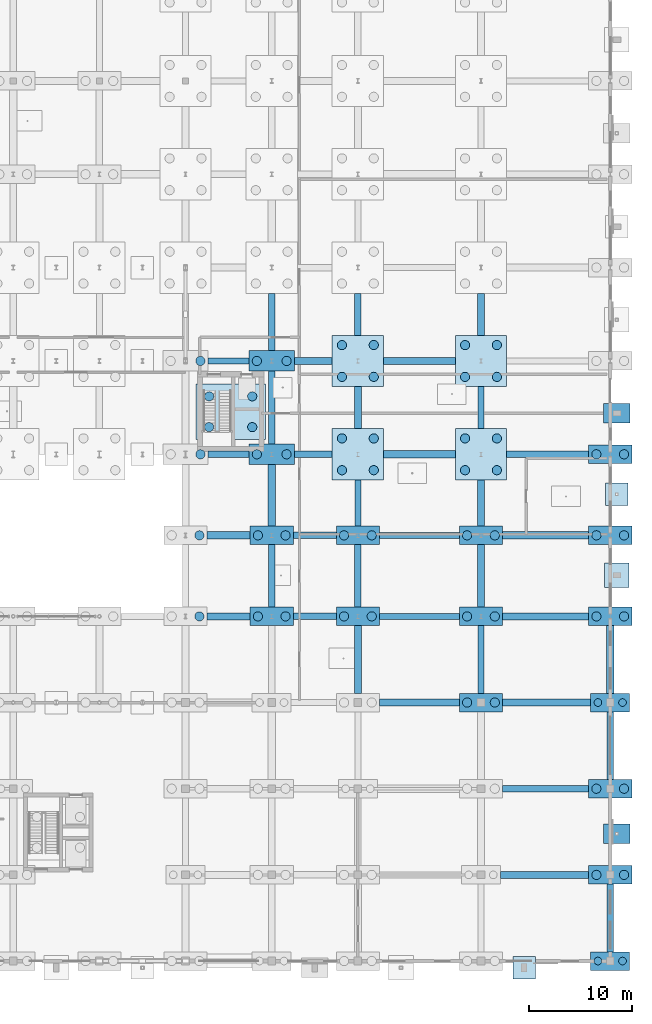
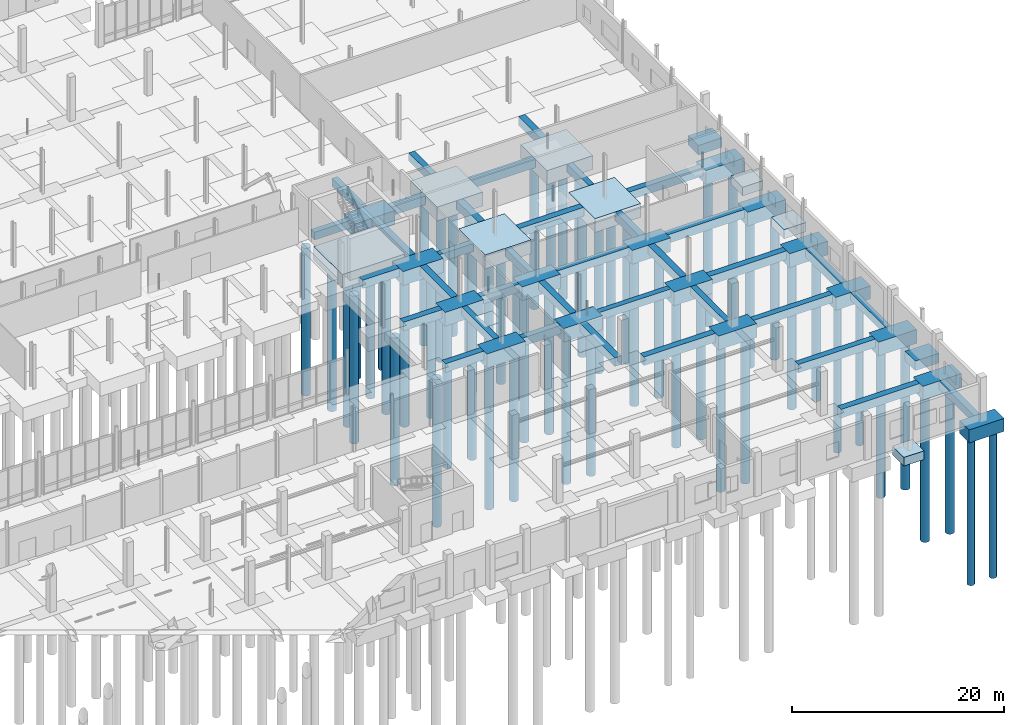
# One storey, part 7 of 119: 62 footings, 56 piles.
"""IFC4 building model written with IfcOpenShell, lengths in metres."""

from ifc_helpers import new_model, si_unit, derived_unit, direction, frame, origin, origin_2d, place, context, subcontext, project, spatial, rectangle, circle, extrude, material, layer, layer_set, material_profile, profile_set, type_object, element, save


model = new_model("IFC4")

# Units and contexts
model_context = context("Model", 3, precision=1e-05, world=origin(), true_north=direction((0.0, 1.0)))
body_context = subcontext(model_context, "Body", "Model", "MODEL_VIEW")
ifc_project = project(units=[si_unit("LENGTHUNIT", "METRE"), si_unit("AREAUNIT", "SQUARE_METRE"), si_unit("VOLUMEUNIT", "CUBIC_METRE"), si_unit("PLANEANGLEUNIT", "RADIAN"), si_unit("MASSUNIT", "GRAM", prefix="KILO"), derived_unit("THERMALTRANSMITTANCEUNIT", [(si_unit("MASSUNIT", "GRAM", prefix="KILO"), 1), (si_unit("TIMEUNIT", "SECOND"), -3), (si_unit("THERMODYNAMICTEMPERATUREUNIT", "KELVIN"), -1)])], contexts=[model_context])

# Site, building, storey
site_placement = place(None, origin())
site = spatial("IfcSite", under=ifc_project, at=site_placement, CompositionType="ELEMENT")
building_placement = place(site_placement, origin())
building = spatial("IfcBuilding", under=site, at=building_placement, Name="Makaiwela Harbour Ferry Terminal", CompositionType="ELEMENT")
storey_placement = place(building_placement, origin())
storey = spatial("IfcBuildingStorey", under=building, at=storey_placement, Name="L00", CompositionType="ELEMENT", Elevation=0.0)

# Footings
ifc_material_1 = material(Name="Concrete f'c 45 MPa (6500 psi)", Category="concrete")
ifc_layer_1 = layer(ifc_material_1, 1.0)
ifc_layer_set_1 = layer_set([ifc_layer_1], Name="Concrete f'c 45 MPa (6500 psi)")
footing_type_1 = type_object("IfcFootingType", Name="FND-PAD-01", PredefinedType="PAD_FOOTING", material=ifc_layer_set_1)
for number, where, z_axis, x_axis, name in (
    (1, (171.60009765625, -0.64990234375, -1.0), (0.0, 0.0, 1.0), (1.0, 0.0, 0.0), "Foundation Footing PF-01"),
    (2, (180.64990234375, 45.5, -1.0), (0.0, 0.0, 1.0), (1.0, 0.0, 0.0), "Foundation Footing PF-01"),
):
    element("IfcFooting", number, at=place(storey_placement, frame(where, z_axis=z_axis, x_axis=x_axis)), inside=storey, type_object=footing_type_1, Name=name, PredefinedType="PAD_FOOTING", context=body_context, shape_type="SweptSolid", body=[
        extrude(rectangle(XDim=2.199951171875, YDim=2.199951171875, at=origin_2d()), origin(), (0.0, 0.0, 1.0), 1.0),
    ])
ifc_layer_2 = layer(ifc_material_1, 1.10009765625)
ifc_layer_set_2 = layer_set([ifc_layer_2], Name="Concrete f'c 45 MPa (6500 psi)")
footing_type_2 = type_object("IfcFootingType", Name="FND-PAD-02", PredefinedType="PAD_FOOTING", material=ifc_layer_set_2)
for number, where, z_axis, x_axis, name in (
    (3, (180.64990234375, 12.39990234375, -1.10009765625), (0.0, 0.0, 1.0), (1.0, 0.0, 0.0), "Foundation Footing PF-02"),
    (4, (180.64990234375, 53.39990234375, -1.10009765625), (0.0, 0.0, 1.0), (1.0, 0.0, 0.0), "Foundation Footing PF-02"),
):
    element("IfcFooting", number, at=place(storey_placement, frame(where, z_axis=z_axis, x_axis=x_axis)), inside=storey, type_object=footing_type_2, Name=name, PredefinedType="PAD_FOOTING", context=body_context, shape_type="SweptSolid", body=[
        extrude(rectangle(XDim=2.60009765625, YDim=1.89990234375, at=origin_2d()), origin(), (0.0, 0.0, 1.0), 1.10009765625),
    ])
ifc_layer_3 = layer(ifc_material_1, 1.050048828125)
ifc_layer_set_3 = layer_set([ifc_layer_3], Name="Concrete f'c 45 MPa (6500 psi)")
footing_type_3 = type_object("IfcFootingType", Name="FND-PAD-03", PredefinedType="PAD_FOOTING", material=ifc_layer_set_3)
footing_1_placement = place(storey_placement, frame((180.64990234375, 37.60009765625, -1.0498046875), z_axis=(0.0, 0.0, 1.0), x_axis=(1.0, 0.0, 0.0)))
element("IfcFooting", 5, at=footing_1_placement, inside=storey, type_object=footing_type_3, Name="Foundation Footing PF-03", PredefinedType="PAD_FOOTING", context=body_context, shape_type="SweptSolid", body=[
    extrude(rectangle(XDim=2.39990234375, YDim=2.39990234375, at=origin_2d()), origin(), (0.0, 0.0, 1.0), 1.050048828125),
])
ifc_layer_4 = layer(ifc_material_1, 1.60009765625)
ifc_layer_set_4 = layer_set([ifc_layer_4], Name="Concrete f'c 45 MPa (6500 psi)")
footing_type_4 = type_object("IfcFootingType", Name="FND-PC-01", PredefinedType="PILE_CAP", material=ifc_layer_set_4)
for number, where, z_axis, x_axis, name in (
    (6, (167.39990234375, 25.199951171875, -1.60009765625), (0.0, 0.0, 1.0), (1.0, 0.0, 0.0), "Foundation Footing PC-01"),
    (7, (180.0, 8.39990234375, -1.60009765625), (0.0, 0.0, 1.0), (1.0, 0.0, 0.0), "Foundation Footing PC-01"),
    (8, (180.0, 16.800048828125, -1.60009765625), (0.0, 0.0, 1.0), (1.0, 0.0, 0.0), "Foundation Footing PC-01"),
    (9, (147.0, 33.60009765625, -1.60009765625), (0.0, 0.0, 1.0), (1.0, 0.0, 0.0), "Foundation Footing PC-01"),
    (10, (147.0, 41.5, -1.60009765625), (0.0, 0.0, 1.0), (1.0, 0.0, 0.0), "Foundation Footing PC-01"),
    (11, (155.39990234375, 33.60009765625, -1.60009765625), (0.0, 0.0, 1.0), (1.0, 0.0, 0.0), "Foundation Footing PC-01"),
    (12, (155.39990234375, 41.5, -1.60009765625), (0.0, 0.0, 1.0), (1.0, 0.0, 0.0), "Foundation Footing PC-01"),
    (13, (167.39990234375, 33.60009765625, -1.60009765625), (0.0, 0.0, 1.0), (1.0, 0.0, 0.0), "Foundation Footing PC-01"),
    (14, (167.39990234375, 41.5, -1.60009765625), (0.0, 0.0, 1.0), (1.0, 0.0, 0.0), "Foundation Footing PC-01"),
    (15, (180.0, 33.60009765625, -1.60009765625), (0.0, 0.0, 1.0), (1.0, 0.0, 0.0), "Foundation Footing PC-01"),
    (16, (180.0, 41.5, -1.60009765625), (0.0, 0.0, 1.0), (1.0, 0.0, 0.0), "Foundation Footing PC-01"),
    (17, (180.0, 49.39990234375, -1.60009765625), (0.0, 0.0, 1.0), (1.0, 0.0, 0.0), "Foundation Footing PC-01"),
):
    element("IfcFooting", number, at=place(storey_placement, frame(where, z_axis=z_axis, x_axis=x_axis)), inside=storey, type_object=footing_type_4, Name=name, PredefinedType="PILE_CAP", context=body_context, shape_type="SweptSolid", body=[
        extrude(rectangle(XDim=4.199951171875, YDim=1.800048828125, at=origin_2d()), origin(), (0.0, 0.0, 1.0), 1.60009765625),
    ])
ifc_layer_5 = layer(ifc_material_1, 1.60009765625)
ifc_layer_set_5 = layer_set([ifc_layer_5], Name="Concrete f'c 45 MPa (6500 psi)")
footing_type_5 = type_object("IfcFootingType", Name="FND-PC-02", PredefinedType="PILE_CAP", material=ifc_layer_set_5)
for number, where, z_axis, x_axis, name in (
    (18, (147.0, 49.39990234375, -1.60009765625), (0.0, 0.0, 1.0), (1.0, 0.0, 0.0), "Foundation Footing PC-02"),
    (19, (147.0, 58.5, -1.60009765625), (0.0, 0.0, 1.0), (1.0, 0.0, 0.0), "Foundation Footing PC-02"),
):
    element("IfcFooting", number, at=place(storey_placement, frame(where, z_axis=z_axis, x_axis=x_axis)), inside=storey, type_object=footing_type_5, Name=name, PredefinedType="PILE_CAP", context=body_context, shape_type="SweptSolid", body=[
        extrude(rectangle(XDim=4.39990234375, YDim=2.0, at=origin_2d()), origin(), (0.0, 0.0, 1.0), 1.60009765625),
    ])
ifc_layer_6 = layer(ifc_material_1, 1.60009765625)
ifc_layer_set_6 = layer_set([ifc_layer_6], Name="Concrete f'c 45 MPa (6500 psi)")
footing_type_6 = type_object("IfcFootingType", Name="FND-PC-04", PredefinedType="PILE_CAP", material=ifc_layer_set_6)
for number, where, z_axis, x_axis, name in (
    (20, (155.39990234375, 49.39990234375, -1.60009765625), (0.0, 0.0, 1.0), (1.0, 0.0, 0.0), "Foundation Footing PC-04"),
    (21, (155.39990234375, 58.5, -1.60009765625), (0.0, 0.0, 1.0), (1.0, 0.0, 0.0), "Foundation Footing PC-04"),
    (22, (167.39990234375, 49.39990234375, -1.60009765625), (0.0, 0.0, 1.0), (1.0, 0.0, 0.0), "Foundation Footing PC-04"),
    (23, (167.39990234375, 58.5, -1.60009765625), (0.0, 0.0, 1.0), (1.0, 0.0, 0.0), "Foundation Footing PC-04"),
):
    element("IfcFooting", number, at=place(storey_placement, frame(where, z_axis=z_axis, x_axis=x_axis)), inside=storey, type_object=footing_type_6, Name=name, PredefinedType="PILE_CAP", context=body_context, shape_type="SweptSolid", body=[
        extrude(rectangle(XDim=5.0, YDim=5.0, at=origin_2d()), origin(), (0.0, 0.0, 1.0), 1.60009765625),
    ])
ifc_layer_7 = layer(ifc_material_1, 1.5)
ifc_layer_set_7 = layer_set([ifc_layer_7], Name="Concrete f'c 45 MPa (6500 psi)")
footing_type_7 = type_object("IfcFootingType", Name="FND-PC-07", PredefinedType="PILE_CAP", material=ifc_layer_set_7)
for number, where, z_axis, x_axis, name in (
    (24, (180.0, 0.0, -1.5), (0.0, 0.0, 1.0), (1.0, 0.0, 0.0), "Foundation Footing PC-07"),
    (25, (180.0, 25.199951171875, -1.5), (0.0, 0.0, 1.0), (1.0, 0.0, 0.0), "Foundation Footing PC-07"),
):
    element("IfcFooting", number, at=place(storey_placement, frame(where, z_axis=z_axis, x_axis=x_axis)), inside=storey, type_object=footing_type_7, Name=name, PredefinedType="PILE_CAP", context=body_context, shape_type="SweptSolid", body=[
        extrude(rectangle(XDim=3.800048828125, YDim=1.800048828125, at=origin_2d()), origin(), (0.0, 0.0, 1.0), 1.5),
    ])
ifc_layer_8 = layer(ifc_material_1, 1.60009765625)
ifc_layer_set_8 = layer_set([ifc_layer_8], Name="Concrete f'c 45 MPa (6500 psi)")
footing_type_8 = type_object("IfcFootingType", Name="FND-PC-09", PredefinedType="PILE_CAP", material=ifc_layer_set_8)
footing_2_placement = place(storey_placement, frame((143.0, 53.550048828125, -1.60009765625), z_axis=(0.0, 0.0, 1.0), x_axis=(1.0, 0.0, 0.0)))
element("IfcFooting", 26, at=footing_2_placement, inside=storey, type_object=footing_type_8, Name="Foundation Footing PC-09", PredefinedType="PILE_CAP", context=body_context, shape_type="SweptSolid", body=[
    extrude(rectangle(XDim=6.800048828125, YDim=5.39990234375, at=origin_2d()), origin(), (0.0, 0.0, 1.0), 1.60009765625),
])

# Piles
ifc_material_2 = material(Name="Precast concrete f'c 45 MPa (6500 psi)", Category="concrete")
ifc_material_profile_1 = material_profile(ifc_material_2, circle(Radius=0.375, at=origin_2d()), Name="PILE-D750")
ifc_profile_set_1 = profile_set([ifc_material_profile_1], Name="Precast concrete f'c 45 MPa (6500 psi)")
pile_type_1 = type_object("IfcPileType", Name="FND-PIL-D750", PredefinedType="DRIVEN", material=ifc_profile_set_1)
for number, where, z_axis, x_axis, name in (
    (27, (178.800048828125, 0.0, -1.35009765625), (0.0, 0.0, -1.0), (1.0, 0.0, 0.0), "Marine Pile MP-03"),
    (28, (181.199951171875, 0.0, -1.35009765625), (0.0, 0.0, -1.0), (1.0, 0.0, 0.0), "Marine Pile MP-03"),
    (29, (178.800048828125, 25.199951171875, -1.35009765625), (0.0, 0.0, -1.0), (1.0, 0.0, 0.0), "Marine Pile MP-03"),
    (30, (181.199951171875, 25.199951171875, -1.35009765625), (0.0, 0.0, -1.0), (1.0, 0.0, 0.0), "Marine Pile MP-03"),
):
    element("IfcPile", number, at=place(storey_placement, frame(where, z_axis=z_axis, x_axis=x_axis)), inside=storey, type_object=pile_type_1, Name=name, PredefinedType="DRIVEN", context=body_context, shape_type="SweptSolid", body=[
        extrude(circle(Radius=0.375, at=origin_2d()), origin(), (0.0, 0.0, 1.0), 17.14990234375),
    ])
ifc_material_profile_2 = material_profile(ifc_material_1, circle(Radius=0.449951171875, at=origin_2d()), Name="PILE-D900")
ifc_profile_set_2 = profile_set([ifc_material_profile_2], Name="Concrete f'c 45 MPa (6500 psi)")
pile_type_2 = type_object("IfcPileType", Name="FND-PIL-D900", PredefinedType="BORED", material=ifc_profile_set_2)
for number, where, z_axis, x_axis, name in (
    (31, (140.89990234375, 52.050048828125, -1.449951171875), (0.0, 0.0, -1.0), (1.0, 0.0, 0.0), "Marine Pile MP-01"),
    (32, (145.10009765625, 52.050048828125, -1.449951171875), (0.0, 0.0, -1.0), (1.0, 0.0, 0.0), "Marine Pile MP-01"),
    (33, (140.89990234375, 55.050048828125, -1.449951171875), (0.0, 0.0, -1.0), (1.0, 0.0, 0.0), "Marine Pile MP-01"),
    (34, (145.10009765625, 55.050048828125, -1.449951171875), (0.0, 0.0, -1.0), (1.0, 0.0, 0.0), "Marine Pile MP-01"),
    (35, (140.050048828125, 49.39990234375, -1.449951171875), (0.0, 0.0, -1.0), (1.0, 0.0, 0.0), "Marine Pile MP-01"),
    (36, (140.050048828125, 58.5, -1.449951171875), (0.0, 0.0, -1.0), (1.0, 0.0, 0.0), "Marine Pile MP-01"),
    (37, (166.050048828125, 25.199951171875, -1.449951171875), (0.0, 0.0, -1.0), (1.0, 0.0, 0.0), "Marine Pile MP-01"),
    (38, (168.75, 25.199951171875, -1.449951171875), (0.0, 0.0, -1.0), (1.0, 0.0, 0.0), "Marine Pile MP-01"),
    (39, (178.64990234375, 8.39990234375, -1.449951171875), (0.0, 0.0, -1.0), (1.0, 0.0, 0.0), "Marine Pile MP-01"),
    (40, (181.35009765625, 8.39990234375, -1.449951171875), (0.0, 0.0, -1.0), (1.0, 0.0, 0.0), "Marine Pile MP-01"),
    (41, (178.64990234375, 16.800048828125, -1.449951171875), (0.0, 0.0, -1.0), (1.0, 0.0, 0.0), "Marine Pile MP-01"),
    (42, (181.35009765625, 16.800048828125, -1.449951171875), (0.0, 0.0, -1.0), (1.0, 0.0, 0.0), "Marine Pile MP-01"),
    (43, (139.949951171875, 33.60009765625, -1.449951171875), (0.0, 0.0, -1.0), (1.0, 0.0, 0.0), "Marine Pile MP-01"),
    (44, (139.949951171875, 41.5, -1.449951171875), (0.0, 0.0, -1.0), (1.0, 0.0, 0.0), "Marine Pile MP-01"),
    (45, (145.64990234375, 33.60009765625, -1.449951171875), (0.0, 0.0, -1.0), (1.0, 0.0, 0.0), "Marine Pile MP-01"),
    (46, (148.35009765625, 33.60009765625, -1.449951171875), (0.0, 0.0, -1.0), (1.0, 0.0, 0.0), "Marine Pile MP-01"),
    (47, (145.64990234375, 41.5, -1.449951171875), (0.0, 0.0, -1.0), (1.0, 0.0, 0.0), "Marine Pile MP-01"),
    (48, (148.35009765625, 41.5, -1.449951171875), (0.0, 0.0, -1.0), (1.0, 0.0, 0.0), "Marine Pile MP-01"),
    (49, (145.550048828125, 49.39990234375, -1.449951171875), (0.0, 0.0, -1.0), (1.0, 0.0, 0.0), "Marine Pile MP-01"),
    (50, (148.449951171875, 49.39990234375, -1.449951171875), (0.0, 0.0, -1.0), (1.0, 0.0, 0.0), "Marine Pile MP-01"),
    (51, (145.550048828125, 58.5, -1.449951171875), (0.0, 0.0, -1.0), (1.0, 0.0, 0.0), "Marine Pile MP-01"),
    (52, (148.449951171875, 58.5, -1.449951171875), (0.0, 0.0, -1.0), (1.0, 0.0, 0.0), "Marine Pile MP-01"),
    (53, (154.050048828125, 33.60009765625, -1.449951171875), (0.0, 0.0, -1.0), (1.0, 0.0, 0.0), "Marine Pile MP-01"),
    (54, (156.75, 33.60009765625, -1.449951171875), (0.0, 0.0, -1.0), (1.0, 0.0, 0.0), "Marine Pile MP-01"),
    (55, (154.050048828125, 41.5, -1.449951171875), (0.0, 0.0, -1.0), (1.0, 0.0, 0.0), "Marine Pile MP-01"),
    (56, (156.75, 41.5, -1.449951171875), (0.0, 0.0, -1.0), (1.0, 0.0, 0.0), "Marine Pile MP-01"),
    (57, (153.85009765625, 47.85009765625, -1.449951171875), (0.0, 0.0, -1.0), (1.0, 0.0, 0.0), "Marine Pile MP-01"),
    (58, (156.949951171875, 47.85009765625, -1.449951171875), (0.0, 0.0, -1.0), (1.0, 0.0, 0.0), "Marine Pile MP-01"),
    (59, (153.85009765625, 50.949951171875, -1.449951171875), (0.0, 0.0, -1.0), (1.0, 0.0, 0.0), "Marine Pile MP-01"),
    (60, (156.949951171875, 50.949951171875, -1.449951171875), (0.0, 0.0, -1.0), (1.0, 0.0, 0.0), "Marine Pile MP-01"),
    (61, (153.85009765625, 56.949951171875, -1.449951171875), (0.0, 0.0, -1.0), (1.0, 0.0, 0.0), "Marine Pile MP-01"),
    (62, (156.949951171875, 56.949951171875, -1.449951171875), (0.0, 0.0, -1.0), (1.0, 0.0, 0.0), "Marine Pile MP-01"),
    (63, (153.85009765625, 60.050048828125, -1.449951171875), (0.0, 0.0, -1.0), (1.0, 0.0, 0.0), "Marine Pile MP-01"),
    (64, (156.949951171875, 60.050048828125, -1.449951171875), (0.0, 0.0, -1.0), (1.0, 0.0, 0.0), "Marine Pile MP-01"),
    (65, (166.050048828125, 33.60009765625, -1.449951171875), (0.0, 0.0, -1.0), (1.0, 0.0, 0.0), "Marine Pile MP-01"),
    (66, (168.75, 33.60009765625, -1.449951171875), (0.0, 0.0, -1.0), (1.0, 0.0, 0.0), "Marine Pile MP-01"),
    (67, (166.050048828125, 41.5, -1.449951171875), (0.0, 0.0, -1.0), (1.0, 0.0, 0.0), "Marine Pile MP-01"),
    (68, (168.75, 41.5, -1.449951171875), (0.0, 0.0, -1.0), (1.0, 0.0, 0.0), "Marine Pile MP-01"),
    (69, (165.85009765625, 47.85009765625, -1.449951171875), (0.0, 0.0, -1.0), (1.0, 0.0, 0.0), "Marine Pile MP-01"),
    (70, (168.949951171875, 47.85009765625, -1.449951171875), (0.0, 0.0, -1.0), (1.0, 0.0, 0.0), "Marine Pile MP-01"),
    (71, (165.85009765625, 50.949951171875, -1.449951171875), (0.0, 0.0, -1.0), (1.0, 0.0, 0.0), "Marine Pile MP-01"),
    (72, (168.949951171875, 50.949951171875, -1.449951171875), (0.0, 0.0, -1.0), (1.0, 0.0, 0.0), "Marine Pile MP-01"),
    (73, (165.85009765625, 56.949951171875, -1.449951171875), (0.0, 0.0, -1.0), (1.0, 0.0, 0.0), "Marine Pile MP-01"),
    (74, (168.949951171875, 56.949951171875, -1.449951171875), (0.0, 0.0, -1.0), (1.0, 0.0, 0.0), "Marine Pile MP-01"),
    (75, (165.85009765625, 60.050048828125, -1.449951171875), (0.0, 0.0, -1.0), (1.0, 0.0, 0.0), "Marine Pile MP-01"),
    (76, (168.949951171875, 60.050048828125, -1.449951171875), (0.0, 0.0, -1.0), (1.0, 0.0, 0.0), "Marine Pile MP-01"),
    (77, (178.64990234375, 33.60009765625, -1.449951171875), (0.0, 0.0, -1.0), (1.0, 0.0, 0.0), "Marine Pile MP-01"),
    (78, (181.35009765625, 33.60009765625, -1.449951171875), (0.0, 0.0, -1.0), (1.0, 0.0, 0.0), "Marine Pile MP-01"),
    (79, (178.64990234375, 41.5, -1.449951171875), (0.0, 0.0, -1.0), (1.0, 0.0, 0.0), "Marine Pile MP-01"),
    (80, (181.35009765625, 41.5, -1.449951171875), (0.0, 0.0, -1.0), (1.0, 0.0, 0.0), "Marine Pile MP-01"),
    (81, (178.64990234375, 49.39990234375, -1.449951171875), (0.0, 0.0, -1.0), (1.0, 0.0, 0.0), "Marine Pile MP-01"),
    (82, (181.35009765625, 49.39990234375, -1.449951171875), (0.0, 0.0, -1.0), (1.0, 0.0, 0.0), "Marine Pile MP-01"),
):
    element("IfcPile", number, at=place(storey_placement, frame(where, z_axis=z_axis, x_axis=x_axis)), inside=storey, type_object=pile_type_2, Name=name, PredefinedType="BORED", context=body_context, shape_type="SweptSolid", body=[
        extrude(circle(Radius=0.449951171875, at=origin_2d()), origin(), (0.0, 0.0, 1.0), 17.050048828125),
    ])

# Footings
ifc_layer_9 = layer(ifc_material_1, 0.89990234375)
ifc_layer_set_9 = layer_set([ifc_layer_9], Name="Concrete f'c 45 MPa (6500 psi)")
footing_type_9 = type_object("IfcFootingType", Name="FND-TB-01", PredefinedType="FOOTING_BEAM", material=ifc_layer_set_9)
for number, where, z_axis, x_axis, name in (
    (83, (161.39990234375, 33.60009765625, -0.89990234375), (0.0, 0.0, 1.0), (1.0, 0.0, 0.0), "Foundation Footing TB-01"),
    (84, (161.39990234375, 41.5, -0.89990234375), (0.0, 0.0, 1.0), (1.0, 0.0, 0.0), "Foundation Footing TB-01"),
):
    element("IfcFooting", number, at=place(storey_placement, frame(where, z_axis=z_axis, x_axis=x_axis)), inside=storey, type_object=footing_type_9, Name=name, PredefinedType="FOOTING_BEAM", context=body_context, shape_type="SweptSolid", body=[
        extrude(rectangle(XDim=7.800048828125, YDim=0.60009765625, at=origin_2d()), origin(), (0.0, 0.0, 1.0), 0.89990234375),
    ])
footing_3_placement = place(storey_placement, frame((151.050048828125, 49.39990234375, -0.89990234375), z_axis=(0.0, 0.0, 1.0), x_axis=(1.0, 0.0, 0.0)))
element("IfcFooting", 85, at=footing_3_placement, inside=storey, type_object=footing_type_9, Name="Foundation Footing TB-01", PredefinedType="FOOTING_BEAM", context=body_context, shape_type="SweptSolid", body=[
    extrude(rectangle(XDim=3.699951171875, YDim=0.60009765625, at=origin_2d()), origin(), (0.0, 0.0, 1.0), 0.89990234375),
])
footing_4_placement = place(storey_placement, frame((142.800048828125, 58.5, -0.89990234375), z_axis=(0.0, 0.0, 1.0), x_axis=(1.0, 0.0, 0.0)))
element("IfcFooting", 86, at=footing_4_placement, inside=storey, type_object=footing_type_9, Name="Foundation Footing TB-01", PredefinedType="FOOTING_BEAM", context=body_context, shape_type="SweptSolid", body=[
    extrude(rectangle(XDim=4.0, YDim=0.60009765625, at=origin_2d()), origin(), (0.0, 0.0, 1.0), 0.89990234375),
])
footing_5_placement = place(storey_placement, frame((147.0, 37.550048828125, -0.89990234375), z_axis=(0.0, 0.0, 1.0), x_axis=(0.0, 1.0, 0.0)))
element("IfcFooting", 87, at=footing_5_placement, inside=storey, type_object=footing_type_9, Name="Foundation Footing TB-01", PredefinedType="FOOTING_BEAM", context=body_context, shape_type="SweptSolid", body=[
    extrude(rectangle(XDim=6.10009765625, YDim=0.60009765625, at=origin_2d()), origin(), (0.0, 0.0, 1.0), 0.89990234375),
])
footing_6_placement = place(storey_placement, frame((147.0, 62.300048828125, -0.89990234375), z_axis=(0.0, 0.0, 1.0), x_axis=(0.0, 1.0, 0.0)))
element("IfcFooting", 88, at=footing_6_placement, inside=storey, type_object=footing_type_9, Name="Foundation Footing TB-01", PredefinedType="FOOTING_BEAM", context=body_context, shape_type="SweptSolid", body=[
    extrude(rectangle(XDim=5.60009765625, YDim=0.60009765625, at=origin_2d()), origin(), (0.0, 0.0, 1.0), 0.89990234375),
])
footing_7_placement = place(storey_placement, frame((155.39990234375, 44.64990234375, -0.89990234375), z_axis=(0.0, 0.0, 1.0), x_axis=(0.0, 1.0, 0.0)))
element("IfcFooting", 89, at=footing_7_placement, inside=storey, type_object=footing_type_9, Name="Foundation Footing TB-01", PredefinedType="FOOTING_BEAM", context=body_context, shape_type="SweptSolid", body=[
    extrude(rectangle(XDim=4.5, YDim=0.60009765625, at=origin_2d()), origin(), (0.0, 0.0, 1.0), 0.89990234375),
])
footing_8_placement = place(storey_placement, frame((167.39990234375, 29.39990234375, -0.89990234375), z_axis=(0.0, 0.0, 1.0), x_axis=(0.0, 1.0, 0.0)))
element("IfcFooting", 90, at=footing_8_placement, inside=storey, type_object=footing_type_9, Name="Foundation Footing TB-01", PredefinedType="FOOTING_BEAM", context=body_context, shape_type="SweptSolid", body=[
    extrude(rectangle(XDim=6.60009765625, YDim=0.60009765625, at=origin_2d()), origin(), (0.0, 0.0, 1.0), 0.89990234375),
])
footing_9_placement = place(storey_placement, frame((167.39990234375, 53.949951171875, -0.89990234375), z_axis=(0.0, 0.0, 1.0), x_axis=(0.0, 1.0, 0.0)))
element("IfcFooting", 91, at=footing_9_placement, inside=storey, type_object=footing_type_9, Name="Foundation Footing TB-01", PredefinedType="FOOTING_BEAM", context=body_context, shape_type="SweptSolid", body=[
    extrude(rectangle(XDim=4.10009765625, YDim=0.60009765625, at=origin_2d()), origin(), (0.0, 0.0, 1.0), 0.89990234375),
])
footing_10_placement = place(storey_placement, frame((180.0, 21.0, -0.89990234375), z_axis=(0.0, 0.0, 1.0), x_axis=(0.0, 1.0, 0.0)))
element("IfcFooting", 92, at=footing_10_placement, inside=storey, type_object=footing_type_9, Name="Foundation Footing TB-01", PredefinedType="FOOTING_BEAM", context=body_context, shape_type="SweptSolid", body=[
    extrude(rectangle(XDim=6.60009765625, YDim=0.60009765625, at=origin_2d()), origin(), (0.0, 0.0, 1.0), 0.89990234375),
])
ifc_layer_10 = layer(ifc_material_1, 1.0)
ifc_layer_set_10 = layer_set([ifc_layer_10], Name="Concrete f'c 45 MPa (6500 psi)")
footing_type_10 = type_object("IfcFootingType", Name="FND-TB-02", PredefinedType="FOOTING_BEAM", material=ifc_layer_set_10)
footing_11_placement = place(storey_placement, frame((173.60009765625, 8.39990234375, -1.0), z_axis=(0.0, 0.0, 1.0), x_axis=(1.0, 0.0, 0.0)))
element("IfcFooting", 93, at=footing_11_placement, inside=storey, type_object=footing_type_10, Name="Foundation Footing TB-02", PredefinedType="FOOTING_BEAM", context=body_context, shape_type="SweptSolid", body=[
    extrude(rectangle(XDim=8.60009765625, YDim=0.699951171875, at=origin_2d()), origin(), (0.0, 0.0, 1.0), 1.0),
])
footing_12_placement = place(storey_placement, frame((161.39990234375, 25.199951171875, -1.0), z_axis=(0.0, 0.0, 1.0), x_axis=(1.0, 0.0, 0.0)))
element("IfcFooting", 94, at=footing_12_placement, inside=storey, type_object=footing_type_10, Name="Foundation Footing TB-02", PredefinedType="FOOTING_BEAM", context=body_context, shape_type="SweptSolid", body=[
    extrude(rectangle(XDim=7.800048828125, YDim=0.699951171875, at=origin_2d()), origin(), (0.0, 0.0, 1.0), 1.0),
])
footing_13_placement = place(storey_placement, frame((142.800048828125, 33.60009765625, -1.0), z_axis=(0.0, 0.0, 1.0), x_axis=(1.0, 0.0, 0.0)))
element("IfcFooting", 95, at=footing_13_placement, inside=storey, type_object=footing_type_10, Name="Foundation Footing TB-02", PredefinedType="FOOTING_BEAM", context=body_context, shape_type="SweptSolid", body=[
    extrude(rectangle(XDim=4.199951171875, YDim=0.699951171875, at=origin_2d()), origin(), (0.0, 0.0, 1.0), 1.0),
])
footing_14_placement = place(storey_placement, frame((173.699951171875, 33.60009765625, -1.0), z_axis=(0.0, 0.0, 1.0), x_axis=(1.0, 0.0, 0.0)))
element("IfcFooting", 96, at=footing_14_placement, inside=storey, type_object=footing_type_10, Name="Foundation Footing TB-02", PredefinedType="FOOTING_BEAM", context=body_context, shape_type="SweptSolid", body=[
    extrude(rectangle(XDim=8.39990234375, YDim=0.699951171875, at=origin_2d()), origin(), (0.0, 0.0, 1.0), 1.0),
])
footing_15_placement = place(storey_placement, frame((142.800048828125, 41.5, -1.0), z_axis=(0.0, 0.0, 1.0), x_axis=(1.0, 0.0, 0.0)))
element("IfcFooting", 97, at=footing_15_placement, inside=storey, type_object=footing_type_10, Name="Foundation Footing TB-02", PredefinedType="FOOTING_BEAM", context=body_context, shape_type="SweptSolid", body=[
    extrude(rectangle(XDim=4.199951171875, YDim=0.699951171875, at=origin_2d()), origin(), (0.0, 0.0, 1.0), 1.0),
])
footing_16_placement = place(storey_placement, frame((173.699951171875, 41.5, -1.0), z_axis=(0.0, 0.0, 1.0), x_axis=(1.0, 0.0, 0.0)))
element("IfcFooting", 98, at=footing_16_placement, inside=storey, type_object=footing_type_10, Name="Foundation Footing TB-02", PredefinedType="FOOTING_BEAM", context=body_context, shape_type="SweptSolid", body=[
    extrude(rectangle(XDim=8.39990234375, YDim=0.699951171875, at=origin_2d()), origin(), (0.0, 0.0, 1.0), 1.0),
])
footing_17_placement = place(storey_placement, frame((161.39990234375, 49.39990234375, -1.0), z_axis=(0.0, 0.0, 1.0), x_axis=(1.0, 0.0, 0.0)))
element("IfcFooting", 99, at=footing_17_placement, inside=storey, type_object=footing_type_10, Name="Foundation Footing TB-02", PredefinedType="FOOTING_BEAM", context=body_context, shape_type="SweptSolid", body=[
    extrude(rectangle(XDim=7.0, YDim=0.699951171875, at=origin_2d()), origin(), (0.0, 0.0, 1.0), 1.0),
])
footing_18_placement = place(storey_placement, frame((151.050048828125, 58.5, -1.0), z_axis=(0.0, 0.0, 1.0), x_axis=(1.0, 0.0, 0.0)))
element("IfcFooting", 100, at=footing_18_placement, inside=storey, type_object=footing_type_10, Name="Foundation Footing TB-02", PredefinedType="FOOTING_BEAM", context=body_context, shape_type="SweptSolid", body=[
    extrude(rectangle(XDim=3.699951171875, YDim=0.699951171875, at=origin_2d()), origin(), (0.0, 0.0, 1.0), 1.0),
])
footing_19_placement = place(storey_placement, frame((147.0, 45.39990234375, -1.0), z_axis=(0.0, 0.0, 1.0), x_axis=(0.0, 1.0, 0.0)))
element("IfcFooting", 101, at=footing_19_placement, inside=storey, type_object=footing_type_10, Name="Foundation Footing TB-02", PredefinedType="FOOTING_BEAM", context=body_context, shape_type="SweptSolid", body=[
    extrude(rectangle(XDim=6.0, YDim=0.699951171875, at=origin_2d()), origin(), (0.0, 0.0, 1.0), 1.0),
])
footing_20_placement = place(storey_placement, frame((155.39990234375, 29.39990234375, -1.0), z_axis=(0.0, 0.0, 1.0), x_axis=(0.0, 1.0, 0.0)))
element("IfcFooting", 102, at=footing_20_placement, inside=storey, type_object=footing_type_10, Name="Foundation Footing TB-02", PredefinedType="FOOTING_BEAM", context=body_context, shape_type="SweptSolid", body=[
    extrude(rectangle(XDim=6.60009765625, YDim=0.699951171875, at=origin_2d()), origin(), (0.0, 0.0, 1.0), 1.0),
])
footing_21_placement = place(storey_placement, frame((155.39990234375, 53.949951171875, -1.0), z_axis=(0.0, 0.0, 1.0), x_axis=(0.0, 1.0, 0.0)))
element("IfcFooting", 103, at=footing_21_placement, inside=storey, type_object=footing_type_10, Name="Foundation Footing TB-02", PredefinedType="FOOTING_BEAM", context=body_context, shape_type="SweptSolid", body=[
    extrude(rectangle(XDim=4.10009765625, YDim=0.699951171875, at=origin_2d()), origin(), (0.0, 0.0, 1.0), 1.0),
])
footing_22_placement = place(storey_placement, frame((167.39990234375, 37.550048828125, -1.0), z_axis=(0.0, 0.0, 1.0), x_axis=(0.0, 1.0, 0.0)))
element("IfcFooting", 104, at=footing_22_placement, inside=storey, type_object=footing_type_10, Name="Foundation Footing TB-02", PredefinedType="FOOTING_BEAM", context=body_context, shape_type="SweptSolid", body=[
    extrude(rectangle(XDim=6.10009765625, YDim=0.699951171875, at=origin_2d()), origin(), (0.0, 0.0, 1.0), 1.0),
])
footing_23_placement = place(storey_placement, frame((167.39990234375, 63.050048828125, -1.0), z_axis=(0.0, 0.0, 1.0), x_axis=(0.0, 1.0, 0.0)))
element("IfcFooting", 105, at=footing_23_placement, inside=storey, type_object=footing_type_10, Name="Foundation Footing TB-02", PredefinedType="FOOTING_BEAM", context=body_context, shape_type="SweptSolid", body=[
    extrude(rectangle(XDim=4.10009765625, YDim=0.699951171875, at=origin_2d()), origin(), (0.0, 0.0, 1.0), 1.0),
])
footing_24_placement = place(storey_placement, frame((180.0, 29.39990234375, -1.0), z_axis=(0.0, 0.0, 1.0), x_axis=(0.0, 1.0, 0.0)))
element("IfcFooting", 106, at=footing_24_placement, inside=storey, type_object=footing_type_10, Name="Foundation Footing TB-02", PredefinedType="FOOTING_BEAM", context=body_context, shape_type="SweptSolid", body=[
    extrude(rectangle(XDim=6.60009765625, YDim=0.699951171875, at=origin_2d()), origin(), (0.0, 0.0, 1.0), 1.0),
])
ifc_layer_11 = layer(ifc_material_1, 0.949951171875)
ifc_layer_set_11 = layer_set([ifc_layer_11], Name="Concrete f'c 45 MPa (6500 psi)")
footing_type_11 = type_object("IfcFootingType", Name="FND-TB-03", PredefinedType="FOOTING_BEAM", material=ifc_layer_set_11)
footing_25_placement = place(storey_placement, frame((173.699951171875, 16.800048828125, -0.9501953125), z_axis=(0.0, 0.0, 1.0), x_axis=(1.0, 0.0, 0.0)))
element("IfcFooting", 107, at=footing_25_placement, inside=storey, type_object=footing_type_11, Name="Foundation Footing TB-03", PredefinedType="FOOTING_BEAM", context=body_context, shape_type="SweptSolid", body=[
    extrude(rectangle(XDim=8.39990234375, YDim=0.64990234375, at=origin_2d()), origin(), (0.0, 0.0, 1.0), 0.949951171875),
])
footing_26_placement = place(storey_placement, frame((173.800048828125, 25.199951171875, -0.9501953125), z_axis=(0.0, 0.0, 1.0), x_axis=(1.0, 0.0, 0.0)))
element("IfcFooting", 108, at=footing_26_placement, inside=storey, type_object=footing_type_11, Name="Foundation Footing TB-03", PredefinedType="FOOTING_BEAM", context=body_context, shape_type="SweptSolid", body=[
    extrude(rectangle(XDim=8.60009765625, YDim=0.64990234375, at=origin_2d()), origin(), (0.0, 0.0, 1.0), 0.949951171875),
])
for number, where, z_axis, x_axis, name in (
    (109, (151.199951171875, 33.60009765625, -0.9501953125), (0.0, 0.0, 1.0), (1.0, 0.0, 0.0), "Foundation Footing TB-03"),
    (110, (151.199951171875, 41.5, -0.9501953125), (0.0, 0.0, 1.0), (1.0, 0.0, 0.0), "Foundation Footing TB-03"),
):
    element("IfcFooting", number, at=place(storey_placement, frame(where, z_axis=z_axis, x_axis=x_axis)), inside=storey, type_object=footing_type_11, Name=name, PredefinedType="FOOTING_BEAM", context=body_context, shape_type="SweptSolid", body=[
        extrude(rectangle(XDim=4.199951171875, YDim=0.64990234375, at=origin_2d()), origin(), (0.0, 0.0, 1.0), 0.949951171875),
    ])
footing_27_placement = place(storey_placement, frame((142.800048828125, 49.39990234375, -0.9501953125), z_axis=(0.0, 0.0, 1.0), x_axis=(1.0, 0.0, 0.0)))
element("IfcFooting", 111, at=footing_27_placement, inside=storey, type_object=footing_type_11, Name="Foundation Footing TB-03", PredefinedType="FOOTING_BEAM", context=body_context, shape_type="SweptSolid", body=[
    extrude(rectangle(XDim=4.0, YDim=0.64990234375, at=origin_2d()), origin(), (0.0, 0.0, 1.0), 0.949951171875),
])
footing_28_placement = place(storey_placement, frame((173.89990234375, 49.39990234375, -0.9501953125), z_axis=(0.0, 0.0, 1.0), x_axis=(1.0, 0.0, 0.0)))
element("IfcFooting", 112, at=footing_28_placement, inside=storey, type_object=footing_type_11, Name="Foundation Footing TB-03", PredefinedType="FOOTING_BEAM", context=body_context, shape_type="SweptSolid", body=[
    extrude(rectangle(XDim=8.0, YDim=0.64990234375, at=origin_2d()), origin(), (0.0, 0.0, 1.0), 0.949951171875),
])
footing_29_placement = place(storey_placement, frame((161.39990234375, 58.5, -0.9501953125), z_axis=(0.0, 0.0, 1.0), x_axis=(1.0, 0.0, 0.0)))
element("IfcFooting", 113, at=footing_29_placement, inside=storey, type_object=footing_type_11, Name="Foundation Footing TB-03", PredefinedType="FOOTING_BEAM", context=body_context, shape_type="SweptSolid", body=[
    extrude(rectangle(XDim=7.0, YDim=0.64990234375, at=origin_2d()), origin(), (0.0, 0.0, 1.0), 0.949951171875),
])
footing_30_placement = place(storey_placement, frame((147.0, 53.949951171875, -0.9501953125), z_axis=(0.0, 0.0, 1.0), x_axis=(0.0, 1.0, 0.0)))
element("IfcFooting", 114, at=footing_30_placement, inside=storey, type_object=footing_type_11, Name="Foundation Footing TB-03", PredefinedType="FOOTING_BEAM", context=body_context, shape_type="SweptSolid", body=[
    extrude(rectangle(XDim=7.10009765625, YDim=0.64990234375, at=origin_2d()), origin(), (0.0, 0.0, 1.0), 0.949951171875),
])
footing_31_placement = place(storey_placement, frame((155.39990234375, 37.550048828125, -0.9501953125), z_axis=(0.0, 0.0, 1.0), x_axis=(0.0, 1.0, 0.0)))
element("IfcFooting", 115, at=footing_31_placement, inside=storey, type_object=footing_type_11, Name="Foundation Footing TB-03", PredefinedType="FOOTING_BEAM", context=body_context, shape_type="SweptSolid", body=[
    extrude(rectangle(XDim=6.10009765625, YDim=0.64990234375, at=origin_2d()), origin(), (0.0, 0.0, 1.0), 0.949951171875),
])
footing_32_placement = place(storey_placement, frame((155.39990234375, 63.050048828125, -0.9501953125), z_axis=(0.0, 0.0, 1.0), x_axis=(0.0, 1.0, 0.0)))
element("IfcFooting", 116, at=footing_32_placement, inside=storey, type_object=footing_type_11, Name="Foundation Footing TB-03", PredefinedType="FOOTING_BEAM", context=body_context, shape_type="SweptSolid", body=[
    extrude(rectangle(XDim=4.10009765625, YDim=0.64990234375, at=origin_2d()), origin(), (0.0, 0.0, 1.0), 0.949951171875),
])
footing_33_placement = place(storey_placement, frame((167.39990234375, 44.64990234375, -0.9501953125), z_axis=(0.0, 0.0, 1.0), x_axis=(0.0, 1.0, 0.0)))
element("IfcFooting", 117, at=footing_33_placement, inside=storey, type_object=footing_type_11, Name="Foundation Footing TB-03", PredefinedType="FOOTING_BEAM", context=body_context, shape_type="SweptSolid", body=[
    extrude(rectangle(XDim=4.5, YDim=0.64990234375, at=origin_2d()), origin(), (0.0, 0.0, 1.0), 0.949951171875),
])
footing_34_placement = place(storey_placement, frame((180.0, 4.199951171875, -0.9501953125), z_axis=(0.0, 0.0, 1.0), x_axis=(0.0, 1.0, 0.0)))
element("IfcFooting", 118, at=footing_34_placement, inside=storey, type_object=footing_type_11, Name="Foundation Footing TB-03", PredefinedType="FOOTING_BEAM", context=body_context, shape_type="SweptSolid", body=[
    extrude(rectangle(XDim=6.60009765625, YDim=0.64990234375, at=origin_2d()), origin(), (0.0, 0.0, 1.0), 0.949951171875),
])

save(model, "model.ifc")
